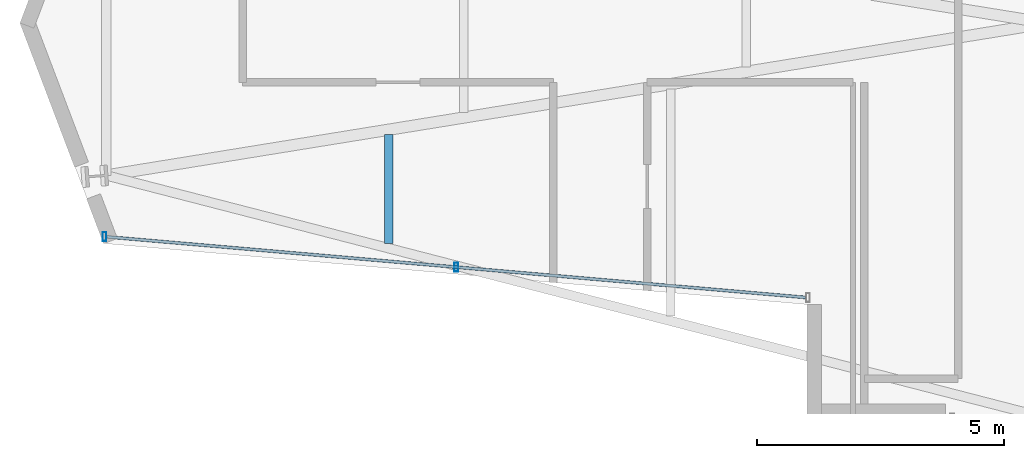
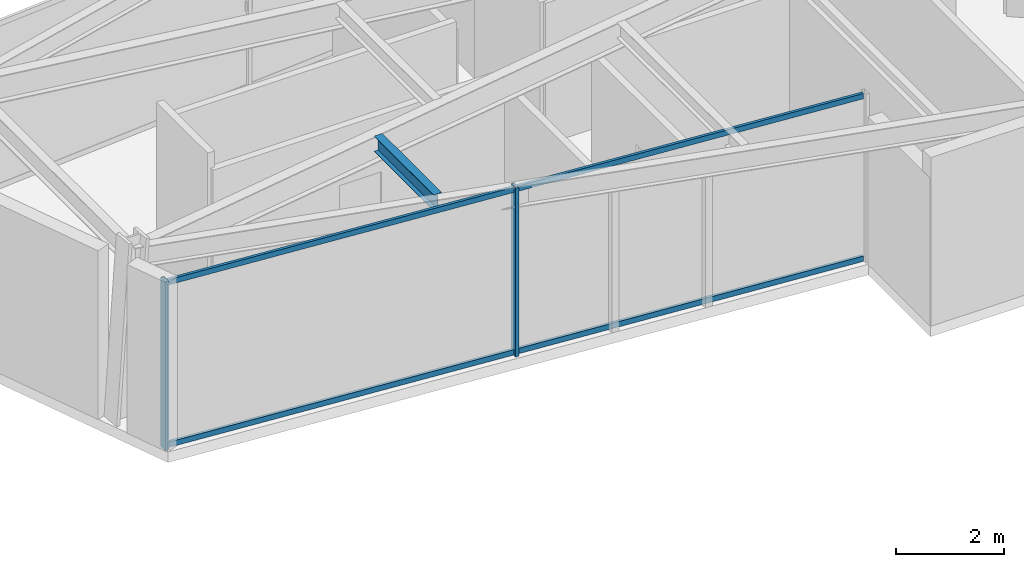
# One storey, part 2 of 23: 4 members, 1 beam, 1 element without a shape of its own.
"""IFC4 building model written with IfcOpenShell, lengths in metres."""

from ifc_helpers import new_model, si_unit, direction, frame, origin, origin_2d, place, context, subcontext, project, spatial, hollow_rectangle, i_section, extrude, material, layer, layer_set, material_profile, profile_set, type_object, element, aggregate, save


model = new_model("IFC4")

# Units and contexts
model_context = context("Model", 3, precision=1e-05, world=origin(), true_north=direction((0.0, 1.0)))
body_context = subcontext(model_context, "Body", "Model", "MODEL_VIEW")
ifc_project = project(units=[si_unit("LENGTHUNIT", "METRE"), si_unit("AREAUNIT", "SQUARE_METRE"), si_unit("VOLUMEUNIT", "CUBIC_METRE"), si_unit("PLANEANGLEUNIT", "RADIAN"), si_unit("MASSUNIT", "GRAM", prefix="KILO")], contexts=[model_context])

# Site, building, storey
site_placement = place(None, origin())
site = spatial("IfcSite", under=ifc_project, at=site_placement, CompositionType="ELEMENT")
building_placement = place(site_placement, origin())
building = spatial("IfcBuilding", under=site, at=building_placement, Name="Veymaron Broadcast Tower", CompositionType="ELEMENT")
storey_placement = place(building_placement, frame((0.0, 0.0, 165.449951171875)))
storey = spatial("IfcBuildingStorey", under=building, at=storey_placement, Name="L38", CompositionType="ELEMENT", Elevation=165.449951171875)

# Beam
ifc_material_1 = material(Name="Structural steel ASTM A992 Gr 50", Category="steel")
ifc_material_profile_1 = material_profile(ifc_material_1, i_section(OverallWidth=0.1708984375, OverallDepth=0.35498046875, WebThickness=0.007080078125, FlangeThickness=0.01171875, at=origin_2d()), Name="W360X51")
ifc_profile_set_1 = profile_set([ifc_material_profile_1], Name="Structural steel ASTM A992 Gr 50")
beam_type = type_object("IfcBeamType", Name="BM-JS2", PredefinedType="JOIST", material=ifc_profile_set_1)
beam_placement = place(storey_placement, frame((17.86279296875, 19.54052734375, 3.632568359375), z_axis=(0.0, 1.0, 0.0), x_axis=(-1.0, 0.0, 0.0)))
element("IfcBeam", 1, at=beam_placement, inside=storey, type_object=beam_type, Name="L38 Arm-A secondary joist 1S", PredefinedType="JOIST", context=body_context, shape_type="SweptSolid", body=[
    extrude(i_section(OverallWidth=0.1708984375, OverallDepth=0.35498046875, WebThickness=0.007080078125, FlangeThickness=0.01171875, at=origin_2d()), origin(), (0.0, 0.0, 1.0), 2.199951171875),
])

# Curtain wall, members
ifc_material_2 = material(Name="Anodised aluminium AA 6063-T6 and laminated low-E dark glass", Category="aluminium")
ifc_layer = layer(ifc_material_2, 0.179931640625)
ifc_layer_set = layer_set([ifc_layer], Name="Anodised aluminium AA 6063-T6 and laminated low-E dark glass")
curtain_wall_type = type_object("IfcCurtainWallType", Name="CW-SYS-03", PredefinedType="NOTDEFINED", material=ifc_layer_set)
curtain_wall_placement = place(storey_placement, origin())
curtain_wall = element("IfcCurtainWall", 2, at=curtain_wall_placement, inside=storey, type_object=curtain_wall_type, Name="L38 dark-glass curtain wall CW-L38-E14-1", PredefinedType="NOTDEFINED")
ifc_material_3 = material(Name="Anodised aluminium AA 6063-T6", Category="aluminium")
ifc_material_profile_2 = material_profile(ifc_material_3, hollow_rectangle(XDim=0.074951171875, YDim=0.179931640625, WallThickness=0.0048828125, at=origin_2d()), Name="AL180X75X5")
ifc_profile_set_2 = profile_set([ifc_material_profile_2], Name="Anodised aluminium AA 6063-T6")
member_type_1 = type_object("IfcMemberType", Name="CW-MUL-02", PredefinedType="MULLION", material=ifc_profile_set_2)
member_1_placement = place(storey_placement, frame((12.112060546875, 19.67529296875, 0.0), z_axis=(0.0, 0.0, 1.0), x_axis=(1.0, 0.0, 0.0)))
member_1 = element("IfcMember", 3, at=member_1_placement, type_object=member_type_1, Name="CW-L38-E14-1 mullion 0", PredefinedType="MULLION", context=body_context, shape_type="SweptSolid", body=[
    extrude(hollow_rectangle(XDim=0.074951171875, YDim=0.179931640625, WallThickness=0.0048828125, at=origin_2d()), origin(), (0.0, 0.0, 1.0), 3.81005859375),
])
member_2_placement = place(storey_placement, frame((19.234130859375, 19.057373046875, 0.0), z_axis=(0.0, 0.0, 1.0), x_axis=(1.0, 0.0, 0.0)))
member_2 = element("IfcMember", 4, at=member_2_placement, type_object=member_type_1, Name="CW-L38-E14-1 mullion 1", PredefinedType="MULLION", context=body_context, shape_type="SweptSolid", body=[
    extrude(hollow_rectangle(XDim=0.074951171875, YDim=0.179931640625, WallThickness=0.0048828125, at=origin_2d()), origin(), (0.0, 0.0, 1.0), 3.81005859375),
])
ifc_material_profile_3 = material_profile(ifc_material_3, hollow_rectangle(XDim=0.06005859375, YDim=0.1201171875, WallThickness=0.00390625, at=origin_2d()), Name="AL120X60X4")
ifc_profile_set_3 = profile_set([ifc_material_profile_3], Name="Anodised aluminium AA 6063-T6")
member_type_2 = type_object("IfcMemberType", Name="CW-TRN-02", PredefinedType="USERDEFINED", material=ifc_profile_set_3)
member_3_placement = place(storey_placement, frame((12.161865234375, 19.671142578125, 0.070068359375), z_axis=(0.996255285425, -0.086460431772, 0.0), x_axis=(0.086460431772, 0.996255285425, 0.0)))
member_3 = element("IfcMember", 5, at=member_3_placement, type_object=member_type_2, Name="CW-L38-E14-1 transom B", ObjectType="TRANSOM", PredefinedType="USERDEFINED", context=body_context, shape_type="SweptSolid", body=[
    extrude(hollow_rectangle(XDim=0.06005859375, YDim=0.1201171875, WallThickness=0.00390625, at=origin_2d()), origin(), (0.0, 0.0, 1.0), 14.19775390625),
])
member_4_placement = place(storey_placement, frame((12.161865234375, 19.671142578125, 3.739990234375), z_axis=(0.996255285425, -0.086460431772, 0.0), x_axis=(0.086460431772, 0.996255285425, 0.0)))
member_4 = element("IfcMember", 6, at=member_4_placement, type_object=member_type_2, Name="CW-L38-E14-1 transom T", ObjectType="TRANSOM", PredefinedType="USERDEFINED", context=body_context, shape_type="SweptSolid", body=[
    extrude(hollow_rectangle(XDim=0.06005859375, YDim=0.1201171875, WallThickness=0.00390625, at=origin_2d()), origin(), (0.0, 0.0, 1.0), 14.19775390625),
])
aggregate(curtain_wall, [member_1, member_2, member_3, member_4])

save(model, "model.ifc")
